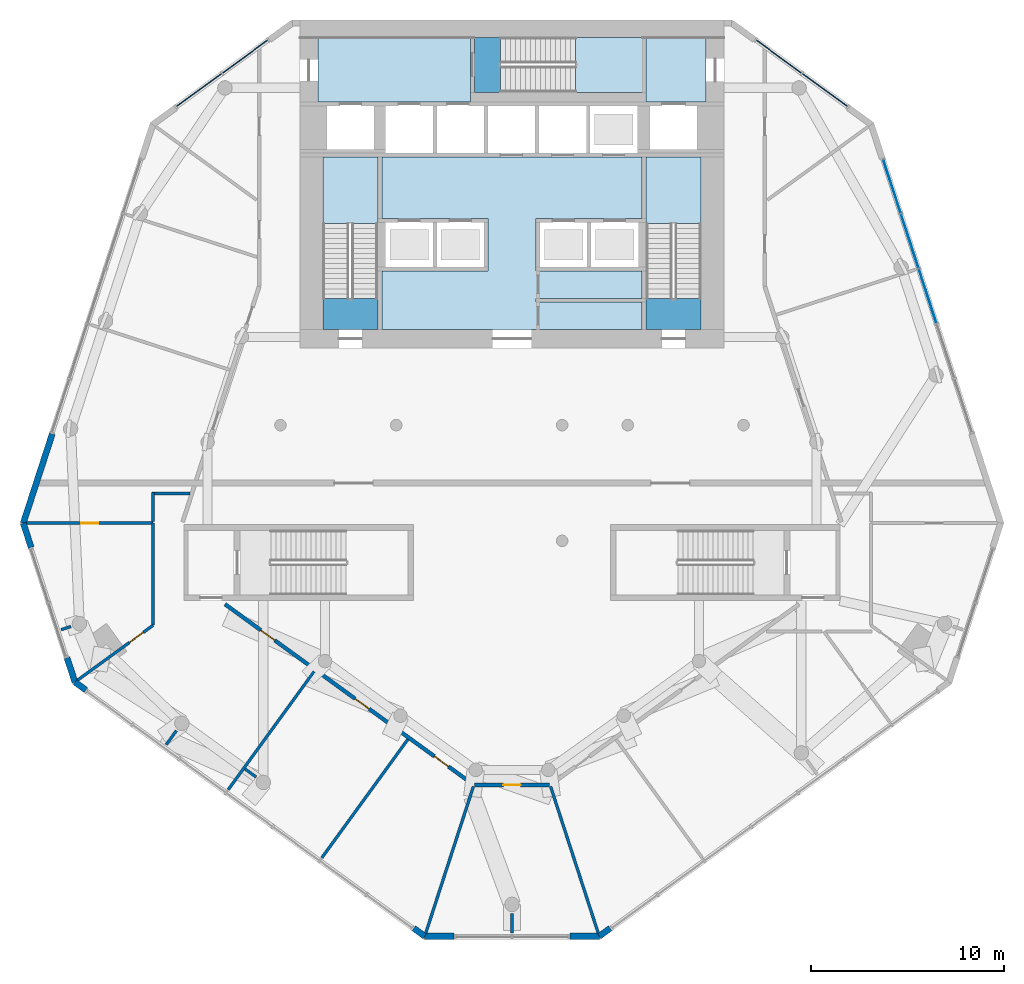
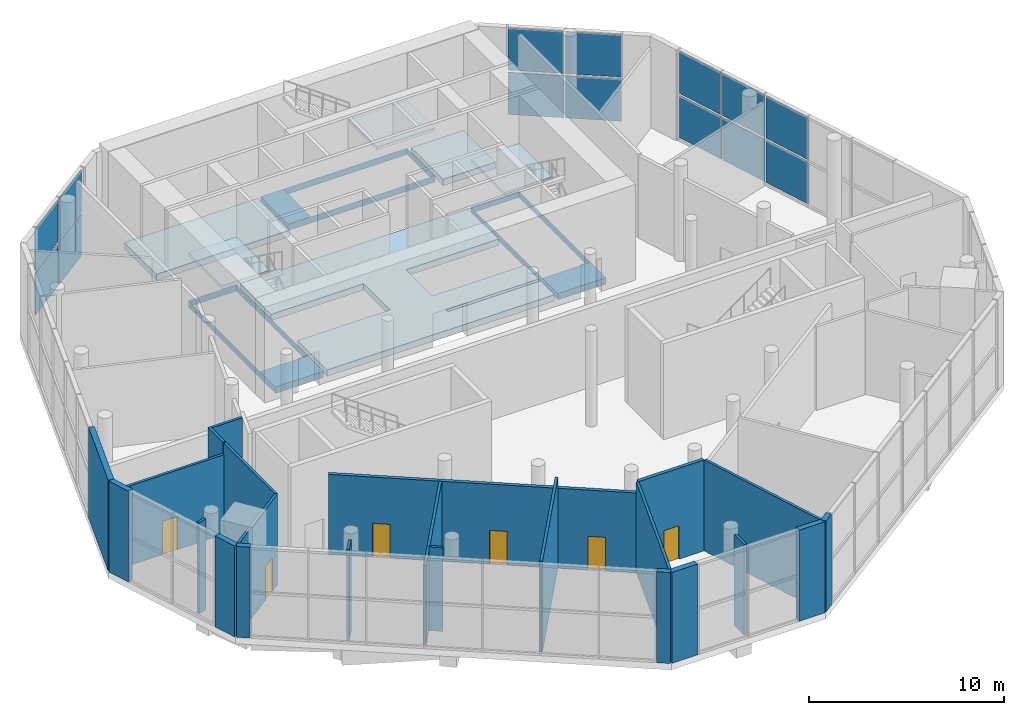
# One storey, part 7 of 14: 23 walls, 14 plates, 9 slabs, 6 doors, 6 openings, 6 elements without a shape of their own.
"""IFC4 building model written with IfcOpenShell, lengths in metres."""

from ifc_helpers import new_model, si_unit, direction, frame, frame_2d, origin, origin_2d, place, context, subcontext, project, spatial, polyline, rectangle, outline, extrude, material, layer, layer_set, type_object, element, fill, aggregate, save


model = new_model("IFC4")

# Units and contexts
model_context = context("Model", 3, precision=1e-05, world=origin(), true_north=direction((0.0, 1.0)))
body_context = subcontext(model_context, "Body", "Model", "MODEL_VIEW")
ifc_project = project(units=[si_unit("LENGTHUNIT", "METRE"), si_unit("AREAUNIT", "SQUARE_METRE"), si_unit("VOLUMEUNIT", "CUBIC_METRE"), si_unit("PLANEANGLEUNIT", "RADIAN"), si_unit("MASSUNIT", "GRAM", prefix="KILO")], contexts=[model_context])

# Site, building, storey
site_placement = place(None, origin())
site = spatial("IfcSite", under=ifc_project, at=site_placement, CompositionType="ELEMENT")
building_placement = place(site_placement, origin())
building = spatial("IfcBuilding", under=site, at=building_placement, Name="White Candle Pilgrim Tower", CompositionType="ELEMENT")
storey_placement = place(building_placement, frame((0.0, 0.0, 142.60009765625)))
storey = spatial("IfcBuildingStorey", under=building, at=storey_placement, Name="L32", CompositionType="ELEMENT", Elevation=142.60009765625)

# Curtain wall, plates
ifc_material_1 = material(Name="Aluminium and glass", Category="aluminium")
curtain_wall_type = type_object("IfcCurtainWallType", Name="Curtain wall CW4 sky floor glazing", PredefinedType="NOTDEFINED", material=ifc_material_1)
curtain_wall_1_placement = place(storey_placement, origin())
curtain_wall_1 = element("IfcCurtainWall", 1, at=curtain_wall_1_placement, inside=storey, type_object=curtain_wall_type, Name="Curtain wall CW4 L32 ENE", PredefinedType="NOTDEFINED")
ifc_material_2 = material(Name="Glass, triple glazed", Category="glass")
ifc_layer_1 = layer(ifc_material_2, 0.0439453125)
ifc_layer_set_1 = layer_set([ifc_layer_1], Name="CW4 glazing panel 44")
plate_type = type_object("IfcPlateType", Name="CW4 glazing panel 44", PredefinedType="CURTAIN_PANEL", material=ifc_layer_set_1)
plate_1_placement = place(storey_placement, frame((91.546630859375, 73.690185546875, 0.14013671875), z_axis=(0.0, 0.0, 1.0), x_axis=(-0.309017010459, 0.951056511069, 0.0)))
plate_1 = element("IfcPlate", 2, at=plate_1_placement, type_object=plate_type, Name="CW4 panel 3.1", PredefinedType="CURTAIN_PANEL", context=body_context, shape_type="SweptSolid", body=[
    extrude(rectangle(XDim=2.919921875, YDim=0.0439453125, at=origin_2d()), origin(), (0.0, 0.0, 1.0), 2.639892578125),
])
plate_2_placement = place(storey_placement, frame((91.546630859375, 73.690185546875, 2.919921875), z_axis=(0.0, 0.0, 1.0), x_axis=(-0.309017010459, 0.951056511069, 0.0)))
plate_2 = element("IfcPlate", 3, at=plate_2_placement, type_object=plate_type, Name="CW4 panel 3.2", PredefinedType="CURTAIN_PANEL", context=body_context, shape_type="SweptSolid", body=[
    extrude(rectangle(XDim=2.919921875, YDim=0.0439453125, at=origin_2d()), origin(), (0.0, 0.0, 1.0), 2.639892578125),
])
plate_3_placement = place(storey_placement, frame((90.61962890625, 76.543212890625, 0.14013671875), z_axis=(0.0, 0.0, 1.0), x_axis=(-0.309017010459, 0.951056511069, 0.0)))
plate_3 = element("IfcPlate", 4, at=plate_3_placement, type_object=plate_type, Name="CW4 panel 4.1", PredefinedType="CURTAIN_PANEL", context=body_context, shape_type="SweptSolid", body=[
    extrude(rectangle(XDim=2.919921875, YDim=0.0439453125, at=origin_2d()), origin(), (0.0, 0.0, 1.0), 2.639892578125),
])
plate_4_placement = place(storey_placement, frame((90.61962890625, 76.543212890625, 2.919921875), z_axis=(0.0, 0.0, 1.0), x_axis=(-0.309017010459, 0.951056511069, 0.0)))
plate_4 = element("IfcPlate", 5, at=plate_4_placement, type_object=plate_type, Name="CW4 panel 4.2", PredefinedType="CURTAIN_PANEL", context=body_context, shape_type="SweptSolid", body=[
    extrude(rectangle(XDim=2.919921875, YDim=0.0439453125, at=origin_2d()), origin(), (0.0, 0.0, 1.0), 2.639892578125),
])
plate_5_placement = place(storey_placement, frame((89.69873046875, 79.37744140625, 0.14013671875), z_axis=(0.0, 0.0, 1.0), x_axis=(-0.309017010459, 0.951056511069, 0.0)))
plate_5 = element("IfcPlate", 6, at=plate_5_placement, type_object=plate_type, Name="CW4 panel 5.1", PredefinedType="CURTAIN_PANEL", context=body_context, shape_type="SweptSolid", body=[
    extrude(rectangle(XDim=2.8798828125, YDim=0.0439453125, at=origin_2d()), origin(), (0.0, 0.0, 1.0), 2.639892578125),
])
plate_6_placement = place(storey_placement, frame((89.69873046875, 79.37744140625, 2.919921875), z_axis=(0.0, 0.0, 1.0), x_axis=(-0.309017010459, 0.951056511069, 0.0)))
plate_6 = element("IfcPlate", 7, at=plate_6_placement, type_object=plate_type, Name="CW4 panel 5.2", PredefinedType="CURTAIN_PANEL", context=body_context, shape_type="SweptSolid", body=[
    extrude(rectangle(XDim=2.8798828125, YDim=0.0439453125, at=origin_2d()), origin(), (0.0, 0.0, 1.0), 2.639892578125),
])
aggregate(curtain_wall_1, [plate_1, plate_2, plate_3, plate_4, plate_5, plate_6])

curtain_wall_2_placement = place(storey_placement, origin())
curtain_wall_2 = element("IfcCurtainWall", 8, at=curtain_wall_2_placement, inside=storey, type_object=curtain_wall_type, Name="Curtain wall CW4 L32 NE chamfer", PredefinedType="NOTDEFINED")
plate_7_placement = place(storey_placement, frame((86.220703125, 84.3701171875, 0.14013671875), z_axis=(0.0, 0.0, 1.0), x_axis=(-0.809016976966, 0.587785276254, 0.0)))
plate_7 = element("IfcPlate", 9, at=plate_7_placement, type_object=plate_type, Name="CW4 panel 1.1", PredefinedType="CURTAIN_PANEL", context=body_context, shape_type="SweptSolid", body=[
    extrude(rectangle(XDim=2.8798828125, YDim=0.0439453125, at=origin_2d()), origin(), (0.0, 0.0, 1.0), 2.639892578125),
])
plate_8_placement = place(storey_placement, frame((86.220703125, 84.3701171875, 2.919921875), z_axis=(0.0, 0.0, 1.0), x_axis=(-0.809016976966, 0.587785276254, 0.0)))
plate_8 = element("IfcPlate", 10, at=plate_8_placement, type_object=plate_type, Name="CW4 panel 1.2", PredefinedType="CURTAIN_PANEL", context=body_context, shape_type="SweptSolid", body=[
    extrude(rectangle(XDim=2.8798828125, YDim=0.0439453125, at=origin_2d()), origin(), (0.0, 0.0, 1.0), 2.639892578125),
])
plate_9_placement = place(storey_placement, frame((83.825927734375, 86.10986328125, 0.14013671875), z_axis=(0.0, 0.0, 1.0), x_axis=(-0.809016976966, 0.587785276254, 0.0)))
plate_9 = element("IfcPlate", 11, at=plate_9_placement, type_object=plate_type, Name="CW4 panel 2.1", PredefinedType="CURTAIN_PANEL", context=body_context, shape_type="SweptSolid", body=[
    extrude(rectangle(XDim=2.8798828125, YDim=0.0439453125, at=origin_2d()), origin(), (0.0, 0.0, 1.0), 2.639892578125),
])
plate_10_placement = place(storey_placement, frame((83.825927734375, 86.10986328125, 2.919921875), z_axis=(0.0, 0.0, 1.0), x_axis=(-0.809016976966, 0.587785276254, 0.0)))
plate_10 = element("IfcPlate", 12, at=plate_10_placement, type_object=plate_type, Name="CW4 panel 2.2", PredefinedType="CURTAIN_PANEL", context=body_context, shape_type="SweptSolid", body=[
    extrude(rectangle(XDim=2.8798828125, YDim=0.0439453125, at=origin_2d()), origin(), (0.0, 0.0, 1.0), 2.639892578125),
])
aggregate(curtain_wall_2, [plate_7, plate_8, plate_9, plate_10])

curtain_wall_3_placement = place(storey_placement, origin())
curtain_wall_3 = element("IfcCurtainWall", 13, at=curtain_wall_3_placement, inside=storey, type_object=curtain_wall_type, Name="Curtain wall CW4 L32 NW chamfer", PredefinedType="NOTDEFINED")
plate_11_placement = place(storey_placement, frame((56.174072265625, 86.10986328125, 0.14013671875), z_axis=(0.0, 0.0, 1.0), x_axis=(-0.809016976966, -0.587785276254, 0.0)))
plate_11 = element("IfcPlate", 14, at=plate_11_placement, type_object=plate_type, Name="CW4 panel 1.1", PredefinedType="CURTAIN_PANEL", context=body_context, shape_type="SweptSolid", body=[
    extrude(rectangle(XDim=2.8798828125, YDim=0.0439453125, at=origin_2d()), origin(), (0.0, 0.0, 1.0), 2.639892578125),
])
plate_12_placement = place(storey_placement, frame((56.174072265625, 86.10986328125, 2.919921875), z_axis=(0.0, 0.0, 1.0), x_axis=(-0.809016976966, -0.587785276254, 0.0)))
plate_12 = element("IfcPlate", 15, at=plate_12_placement, type_object=plate_type, Name="CW4 panel 1.2", PredefinedType="CURTAIN_PANEL", context=body_context, shape_type="SweptSolid", body=[
    extrude(rectangle(XDim=2.8798828125, YDim=0.0439453125, at=origin_2d()), origin(), (0.0, 0.0, 1.0), 2.639892578125),
])
plate_13_placement = place(storey_placement, frame((53.779296875, 84.3701171875, 0.14013671875), z_axis=(0.0, 0.0, 1.0), x_axis=(-0.809016976966, -0.587785276254, 0.0)))
plate_13 = element("IfcPlate", 16, at=plate_13_placement, type_object=plate_type, Name="CW4 panel 2.1", PredefinedType="CURTAIN_PANEL", context=body_context, shape_type="SweptSolid", body=[
    extrude(rectangle(XDim=2.8798828125, YDim=0.0439453125, at=origin_2d()), origin(), (0.0, 0.0, 1.0), 2.639892578125),
])
plate_14_placement = place(storey_placement, frame((53.779296875, 84.3701171875, 2.919921875), z_axis=(0.0, 0.0, 1.0), x_axis=(-0.809016976966, -0.587785276254, 0.0)))
plate_14 = element("IfcPlate", 17, at=plate_14_placement, type_object=plate_type, Name="CW4 panel 2.2", PredefinedType="CURTAIN_PANEL", context=body_context, shape_type="SweptSolid", body=[
    extrude(rectangle(XDim=2.8798828125, YDim=0.0439453125, at=origin_2d()), origin(), (0.0, 0.0, 1.0), 2.639892578125),
])
aggregate(curtain_wall_3, [plate_11, plate_12, plate_13, plate_14])

# Slabs
ifc_material_3 = material(Name="Concrete C40/50", Category="concrete")
ifc_layer_2 = layer(ifc_material_3, 0.39990234375)
ifc_layer_set_2 = layer_set([ifc_layer_2], Name="Core floor slab 400 mm Concrete C40/50")
slab_type_1 = type_object("IfcSlabType", Name="Core floor slab 400 mm Concrete C40/50", PredefinedType="FLOOR", material=ifc_layer_set_2)
slab_1_placement = place(storey_placement, frame((0.0, 0.0, -0.400146484375)))
element("IfcSlab", 18, at=slab_1_placement, inside=storey, type_object=slab_type_1, Name="CF-L32-05", PredefinedType="FLOOR", context=body_context, shape_type="SweptSolid", body=[
    extrude(outline(polyline([(76.75, 87.10009765625), (76.75, 87.050048828125), (76.75, 84.25), (68.050048828125, 84.25), (68.050048828125, 87.050048828125), (68.050048828125, 87.10009765625), (76.75, 87.10009765625)]), holes=[polyline([(69.402099609375, 87.097900390625), (69.402099609375, 84.251953125), (76.748046875, 84.251953125), (76.748046875, 87.097900390625), (69.402099609375, 87.097900390625)])]), origin(), (0.0, 0.0, 1.0), 0.400146484375),
])
slab_2_placement = place(storey_placement, frame((0.0, 0.0, -0.400146484375)))
element("IfcSlab", 19, at=slab_2_placement, inside=storey, type_object=slab_type_1, Name="CF-L32-06", PredefinedType="FLOOR", context=body_context, shape_type="SweptSolid", body=[
    extrude(outline(polyline([(80.050048828125, 87.050048828125), (80.050048828125, 83.75), (76.949951171875, 83.75), (76.949951171875, 84.25), (76.949951171875, 87.050048828125), (80.050048828125, 87.050048828125)])), origin(), (0.0, 0.0, 1.0), 0.400146484375),
])
slab_3_placement = place(storey_placement, frame((0.0, 0.0, -0.400146484375)))
element("IfcSlab", 20, at=slab_3_placement, inside=storey, type_object=slab_type_1, Name="CF-L32-07", PredefinedType="FLOOR", context=body_context, shape_type="SweptSolid", body=[
    extrude(outline(polyline([(76.949951171875, 71.949951171875), (76.949951171875, 73.375), (76.949951171875, 73.574951171875), (76.949951171875, 75.0), (76.949951171875, 75.199951171875), (76.949951171875, 77.5), (76.949951171875, 77.699951171875), (76.949951171875, 80.89990234375), (79.800048828125, 80.89990234375), (79.800048828125, 71.949951171875), (76.949951171875, 71.949951171875)]), holes=[polyline([(76.951904296875, 73.552001953125), (79.798095703125, 73.552001953125), (79.798095703125, 80.89794921875), (76.951904296875, 80.89794921875), (76.951904296875, 73.552001953125)])]), origin(), (0.0, 0.0, 1.0), 0.400146484375),
])
slab_4_placement = place(storey_placement, frame((0.0, 0.0, -0.400146484375)))
element("IfcSlab", 21, at=slab_4_placement, inside=storey, type_object=slab_type_1, Name="CF-L32-08", PredefinedType="FLOOR", context=body_context, shape_type="SweptSolid", body=[
    extrude(outline(polyline([(63.25, 71.949951171875), (63.25, 75.0), (68.75, 75.0), (68.75, 75.199951171875), (68.75, 77.5), (68.75, 77.699951171875), (63.25, 77.699951171875), (63.25, 80.89990234375), (76.75, 80.89990234375), (76.75, 77.699951171875), (71.25, 77.699951171875), (71.25, 77.5), (71.25, 75.199951171875), (71.25, 75.0), (76.75, 75.0), (76.75, 73.574951171875), (71.25, 73.574951171875), (71.25, 73.375), (76.75, 73.375), (76.75, 71.949951171875), (63.25, 71.949951171875)])), origin(), (0.0, 0.0, 1.0), 0.400146484375),
])
slab_5_placement = place(storey_placement, frame((0.0, 0.0, -0.400146484375)))
element("IfcSlab", 22, at=slab_5_placement, inside=storey, type_object=slab_type_1, Name="CF-L32-09", PredefinedType="FLOOR", context=body_context, shape_type="SweptSolid", body=[
    extrude(outline(polyline([(60.199951171875, 71.949951171875), (60.199951171875, 80.89990234375), (63.050048828125, 80.89990234375), (63.050048828125, 77.699951171875), (63.050048828125, 77.5), (63.050048828125, 75.199951171875), (63.050048828125, 75.0), (63.050048828125, 71.949951171875), (60.199951171875, 71.949951171875)]), holes=[polyline([(60.201904296875, 73.552001953125), (63.048095703125, 73.552001953125), (63.048095703125, 80.89794921875), (60.201904296875, 80.89794921875), (60.201904296875, 73.552001953125)])]), origin(), (0.0, 0.0, 1.0), 0.400146484375),
])
slab_6_placement = place(storey_placement, frame((0.0, 0.0, -0.400146484375)))
element("IfcSlab", 23, at=slab_6_placement, inside=storey, type_object=slab_type_1, Name="CF-L32-10", PredefinedType="FLOOR", context=body_context, shape_type="SweptSolid", body=[
    extrude(outline(polyline([(59.949951171875, 87.050048828125), (67.85009765625, 87.050048828125), (67.85009765625, 84.25), (67.85009765625, 83.75), (59.949951171875, 83.75), (59.949951171875, 87.050048828125)])), origin(), (0.0, 0.0, 1.0), 0.400146484375),
])

# Stair, slab
stair_type_1 = type_object("IfcStairType", Name="Exit stair 1 flight width 1350 mm", PredefinedType="HALF_TURN_STAIR", material=ifc_material_3)
stair_1_placement = place(storey_placement, origin())
stair_1 = element("IfcStair", 24, at=stair_1_placement, inside=storey, type_object=stair_type_1, Name="L32 stair 1", PredefinedType="NOTDEFINED")
ifc_layer_3 = layer(ifc_material_3, 0.199951171875)
ifc_layer_set_3 = layer_set([ifc_layer_3], Name="Stair landing Concrete C40/50")
slab_type_2 = type_object("IfcSlabType", Name="Stair landing Concrete C40/50", PredefinedType="LANDING", material=ifc_layer_set_3)
slab_7_placement = place(storey_placement, frame((0.0, 0.0, 2.7998046875)))
slab_7 = element("IfcSlab", 25, at=slab_7_placement, type_object=slab_type_2, Name="ST1 landing 1", PredefinedType="LANDING", context=body_context, shape_type="SweptSolid", body=[
    extrude(outline(polyline([(63.052001953125, 77.447998046875), (60.197998046875, 77.447998046875), (60.197998046875, 80.902099609375), (63.052001953125, 80.902099609375), (63.052001953125, 77.447998046875)])), origin(), (0.0, 0.0, 1.0), 0.2001953125),
])
aggregate(stair_1, [slab_7])

stair_type_2 = type_object("IfcStairType", Name="Exit stair 2 flight width 1350 mm", PredefinedType="HALF_TURN_STAIR", material=ifc_material_3)
stair_2_placement = place(storey_placement, origin())
stair_2 = element("IfcStair", 26, at=stair_2_placement, inside=storey, type_object=stair_type_2, Name="L32 stair 2", PredefinedType="NOTDEFINED")
slab_8_placement = place(storey_placement, frame((0.0, 0.0, 2.7998046875)))
slab_8 = element("IfcSlab", 27, at=slab_8_placement, type_object=slab_type_2, Name="ST2 landing 1", PredefinedType="LANDING", context=body_context, shape_type="SweptSolid", body=[
    extrude(outline(polyline([(79.802001953125, 77.447998046875), (76.947998046875, 77.447998046875), (76.947998046875, 80.902099609375), (79.802001953125, 80.902099609375), (79.802001953125, 77.447998046875)])), origin(), (0.0, 0.0, 1.0), 0.2001953125),
])
aggregate(stair_2, [slab_8])

stair_type_3 = type_object("IfcStairType", Name="Exit stair 3 flight width 1350 mm", PredefinedType="HALF_TURN_STAIR", material=ifc_material_3)
stair_3_placement = place(storey_placement, origin())
stair_3 = element("IfcStair", 28, at=stair_3_placement, inside=storey, type_object=stair_type_3, Name="L32 stair 3", PredefinedType="NOTDEFINED")
slab_9_placement = place(storey_placement, frame((0.0, 0.0, 2.7998046875)))
slab_9 = element("IfcSlab", 29, at=slab_9_placement, type_object=slab_type_2, Name="ST3 landing 1", PredefinedType="LANDING", context=body_context, shape_type="SweptSolid", body=[
    extrude(outline(polyline([(73.298095703125, 84.248046875), (73.298095703125, 87.10205078125), (76.751953125, 87.10205078125), (76.751953125, 84.248046875), (73.298095703125, 84.248046875)])), origin(), (0.0, 0.0, 1.0), 0.2001953125),
])
aggregate(stair_3, [slab_9])

# Wall, opening, door
ifc_material_4 = material(Name="Gypsum board on steel studs", Category="steel")
ifc_layer_4 = layer(ifc_material_4, 0.199951171875)
ifc_layer_set_4 = layer_set([ifc_layer_4], Name="Corridor wall 200 mm EI 45")
wall_type_1 = type_object("IfcWallType", Name="Corridor wall 200 mm EI 45", PredefinedType="PARTITIONING", material=ifc_layer_set_4)
wall_1_placement = place(storey_placement, frame((71.943115234375, 48.347412109375, 0.0), z_axis=(0.0, 0.0, 1.0), x_axis=(-1.0, 0.0, 0.0)))
wall_1 = element("IfcWall", 30, at=wall_1_placement, inside=storey, type_object=wall_type_1, Name="WL-L32-P007", PredefinedType="PARTITIONING", context=body_context, shape_type="SweptSolid", body=[
    extrude(rectangle(XDim=3.88623046875, YDim=0.199951171875, at=frame_2d((1.943115234375, 0.0))), origin(), (0.0, 0.0, 1.0), 5.699951171875),
])
opening_1_placement = place(wall_1_placement, frame((1.4931640625, 0.0, 0.0)))
opening_1 = element("IfcOpeningElement", 31, at=opening_1_placement, cuts=wall_1, Name="Opening L32-108", PredefinedType="OPENING", context=body_context, shape_type="SweptSolid", body=[
    extrude(rectangle(XDim=0.89990234375, YDim=2.10009765625, at=frame_2d((0.449951171875, 1.050048828125))), frame((0.0, 0.10986328125, 0.0), z_axis=(0.0, -1.0, 0.0), x_axis=(1.0, 0.0, 0.0)), (0.0, 0.0, 1.0), 0.219970703125),
])
ifc_material_5 = material(Name="Steel door leaf", Category="steel")
door_type = type_object("IfcDoorType", Name="Fire door 900 x 2100 EI 30", OperationType="NOTDEFINED", PredefinedType="DOOR", material=ifc_material_5)
door_1_placement = place(opening_1_placement, origin())
door_1 = element("IfcDoor", 32, at=door_1_placement, inside=storey, type_object=door_type, Name="Door L32-108", OperationType="SINGLE_SWING_RIGHT", OverallHeight=2.10009765625, OverallWidth=0.89990234375, PredefinedType="DOOR", context=body_context, shape_type="SweptSolid", body=[
    extrude(rectangle(XDim=0.89990234375, YDim=2.10009765625, at=frame_2d((0.449951171875, 1.050048828125))), frame((0.0, 0.02490234375, 0.0), z_axis=(0.0, -1.0, 0.0), x_axis=(1.0, 0.0, 0.0)), (0.0, 0.0, 1.0), 0.050048828125),
])
fill(opening_1, door_1)

# Wall, openings, doors
wall_2_placement = place(storey_placement, frame((67.998046875, 48.36669921875, 0.0), z_axis=(0.0, 0.0, 1.0), x_axis=(-0.80902196565, 0.587778409858, 0.0)))
wall_2 = element("IfcWall", 33, at=wall_2_placement, inside=storey, type_object=wall_type_1, Name="WL-L32-P008", PredefinedType="PARTITIONING", context=body_context, shape_type="SweptSolid", body=[
    extrude(rectangle(XDim=15.911376953125, YDim=0.199951171875, at=frame_2d((7.95556640625, 0.0))), origin(), (0.0, 0.0, 1.0), 5.0),
])
opening_2_placement = place(wall_2_placement, frame((12.72314453125, 0.0, 0.0)))
opening_2 = element("IfcOpeningElement", 34, at=opening_2_placement, cuts=wall_2, Name="Opening L32-105", PredefinedType="OPENING", context=body_context, shape_type="SweptSolid", body=[
    extrude(rectangle(XDim=0.89990234375, YDim=2.10009765625, at=frame_2d((0.449951171875, 1.050048828125))), frame((0.0, 0.10986328125, 0.0), z_axis=(0.0, -1.0, 0.0), x_axis=(1.0, 0.0, 0.0)), (0.0, 0.0, 1.0), 0.219970703125),
])
opening_3_placement = place(wall_2_placement, frame((6.677001953125, 0.0, 0.0)))
opening_3 = element("IfcOpeningElement", 35, at=opening_3_placement, cuts=wall_2, Name="Opening L32-106", PredefinedType="OPENING", context=body_context, shape_type="SweptSolid", body=[
    extrude(rectangle(XDim=0.89990234375, YDim=2.10009765625, at=frame_2d((0.449951171875, 1.050048828125))), frame((0.0, 0.10986328125, 0.0), z_axis=(0.0, -1.0, 0.0), x_axis=(1.0, 0.0, 0.0)), (0.0, 0.0, 1.0), 0.219970703125),
])
opening_4_placement = place(wall_2_placement, frame((1.597412109375, 0.0, 0.0)))
opening_4 = element("IfcOpeningElement", 36, at=opening_4_placement, cuts=wall_2, Name="Opening L32-107", PredefinedType="OPENING", context=body_context, shape_type="SweptSolid", body=[
    extrude(rectangle(XDim=0.89990234375, YDim=2.10009765625, at=frame_2d((0.449951171875, 1.050048828125))), frame((0.0, 0.10986328125, 0.0), z_axis=(0.0, -1.0, 0.0), x_axis=(1.0, 0.0, 0.0)), (0.0, 0.0, 1.0), 0.219970703125),
])
door_2_placement = place(opening_2_placement, origin())
door_2 = element("IfcDoor", 37, at=door_2_placement, inside=storey, type_object=door_type, Name="Door L32-105", OperationType="SINGLE_SWING_LEFT", OverallHeight=2.10009765625, OverallWidth=0.89990234375, PredefinedType="DOOR", context=body_context, shape_type="SweptSolid", body=[
    extrude(rectangle(XDim=0.89990234375, YDim=2.10009765625, at=frame_2d((0.449951171875, 1.050048828125))), frame((0.0, 0.02490234375, 0.0), z_axis=(0.0, -1.0, 0.0), x_axis=(1.0, 0.0, 0.0)), (0.0, 0.0, 1.0), 0.050048828125),
])
fill(opening_2, door_2)
door_3_placement = place(opening_3_placement, origin())
door_3 = element("IfcDoor", 38, at=door_3_placement, inside=storey, type_object=door_type, Name="Door L32-106", OperationType="SINGLE_SWING_RIGHT", OverallHeight=2.10009765625, OverallWidth=0.89990234375, PredefinedType="DOOR", context=body_context, shape_type="SweptSolid", body=[
    extrude(rectangle(XDim=0.89990234375, YDim=2.10009765625, at=frame_2d((0.449951171875, 1.050048828125))), frame((0.0, 0.02490234375, 0.0), z_axis=(0.0, -1.0, 0.0), x_axis=(1.0, 0.0, 0.0)), (0.0, 0.0, 1.0), 0.050048828125),
])
fill(opening_3, door_3)
door_4_placement = place(opening_4_placement, origin())
door_4 = element("IfcDoor", 39, at=door_4_placement, inside=storey, type_object=door_type, Name="Door L32-107", OperationType="SINGLE_SWING_LEFT", OverallHeight=2.10009765625, OverallWidth=0.89990234375, PredefinedType="DOOR", context=body_context, shape_type="SweptSolid", body=[
    extrude(rectangle(XDim=0.89990234375, YDim=2.10009765625, at=frame_2d((0.449951171875, 1.050048828125))), frame((0.0, 0.02490234375, 0.0), z_axis=(0.0, -1.0, 0.0), x_axis=(1.0, 0.0, 0.0)), (0.0, 0.0, 1.0), 0.050048828125),
])
fill(opening_4, door_4)

# Walls
ifc_material_6 = material(Name="Precast concrete C40/50", Category="concrete")
ifc_layer_5 = layer(ifc_material_6, 0.320068359375)
ifc_layer_set_5 = layer_set([ifc_layer_5], Name="Facade wall EW1 precast concrete C40/50 pier wall with timber-lined reveals")
wall_type_2 = type_object("IfcWallType", Name="Facade wall EW1 precast concrete C40/50 pier wall with timber-lined reveals", PredefinedType="SOLIDWALL", material=ifc_layer_set_5)
wall_3_placement = place(storey_placement, frame((44.66650390625, 61.922119140625, 0.0), z_axis=(0.0, 0.0, 1.0), x_axis=(0.309015617768, -0.951056963581, 0.0)))
element("IfcWall", 40, at=wall_3_placement, inside=storey, type_object=wall_type_2, Name="Facade wall L32 W chamfer", PredefinedType="SOLIDWALL", context=body_context, shape_type="SweptSolid", body=[
    extrude(rectangle(XDim=1.33203125, YDim=0.320068359375, at=frame_2d((0.666015625, 0.0))), origin(), (0.0, 0.0, 1.0), 5.699951171875),
])
wall_4_placement = place(storey_placement, frame((46.93212890625, 54.948974609375, 0.0), z_axis=(0.0, 0.0, 1.0), x_axis=(0.308961761269, -0.951074460846, 0.0)))
element("IfcWall", 41, at=wall_4_placement, inside=storey, type_object=wall_type_2, Name="Facade wall L32 W chamfer", PredefinedType="SOLIDWALL", context=body_context, shape_type="SweptSolid", body=[
    extrude(rectangle(XDim=1.332275390625, YDim=0.320068359375, at=frame_2d((0.666015625, 0.0))), origin(), (0.0, 0.0, 1.0), 5.699951171875),
])
for number, where, z_axis, x_axis, name in (
    (42, (47.34375, 53.681884765625, 0.0), (0.0, 0.0, 1.0), (0.809064470568, -0.587719901369, 0.0), "Facade wall L32 SW"),
    (43, (64.905029296875, 40.923095703125, 0.0), (0.0, 0.0, 1.0), (0.809064470568, -0.587719901369, 0.0), "Facade wall L32 SW"),
):
    element("IfcWall", number, at=place(storey_placement, frame(where, z_axis=z_axis, x_axis=x_axis)), inside=storey, type_object=wall_type_2, Name=name, PredefinedType="SOLIDWALL", context=body_context, shape_type="SweptSolid", body=[
        extrude(rectangle(XDim=0.70703125, YDim=0.320068359375, at=frame_2d((0.353515625, 0.0))), origin(), (0.0, 0.0, 1.0), 5.699951171875),
    ])
for number, where, z_axis, x_axis, name in (
    (44, (65.47705078125, 40.507568359375, 0.0), (0.0, 0.0, 1.0), (1.0, 0.0, 0.0), "Facade wall L32 S chamfer"),
    (45, (73.0, 40.507568359375, 0.0), (0.0, 0.0, 1.0), (1.0, 0.0, 0.0), "Facade wall L32 S chamfer"),
):
    element("IfcWall", number, at=place(storey_placement, frame(where, z_axis=z_axis, x_axis=x_axis)), inside=storey, type_object=wall_type_2, Name=name, PredefinedType="SOLIDWALL", context=body_context, shape_type="SweptSolid", body=[
        extrude(rectangle(XDim=1.52294921875, YDim=0.320068359375, at=frame_2d((0.761474609375, 0.0))), origin(), (0.0, 0.0, 1.0), 5.699951171875),
    ])
wall_5_placement = place(storey_placement, frame((74.52294921875, 40.507568359375, 0.0), z_axis=(0.0, 0.0, 1.0), x_axis=(0.809064470568, 0.587719901369, 0.0)))
element("IfcWall", 46, at=wall_5_placement, inside=storey, type_object=wall_type_2, Name="Facade wall L32 SE", PredefinedType="SOLIDWALL", context=body_context, shape_type="SweptSolid", body=[
    extrude(rectangle(XDim=0.70703125, YDim=0.320068359375, at=frame_2d((0.353515625, 0.0))), origin(), (0.0, 0.0, 1.0), 5.699951171875),
])
wall_6_placement = place(storey_placement, frame((46.1689453125, 66.54638671875, 0.0), z_axis=(0.0, 0.0, 1.0), x_axis=(-0.309003189113, -0.951061001786, 0.0)))
element("IfcWall", 47, at=wall_6_placement, inside=storey, type_object=wall_type_2, Name="Facade wall L32 WNW", PredefinedType="SOLIDWALL", context=body_context, shape_type="SweptSolid", body=[
    extrude(rectangle(XDim=4.8623046875, YDim=0.320068359375, at=frame_2d((2.43115234375, 0.0))), origin(), (0.0, 0.0, 1.0), 5.699951171875),
])

# Wall, opening, door
ifc_layer_6 = layer(ifc_material_4, 0.14990234375)
ifc_layer_set_6 = layer_set([ifc_layer_6], Name="Partition 150 mm EI 60")
wall_type_3 = type_object("IfcWallType", Name="Partition 150 mm EI 60", PredefinedType="PARTITIONING", material=ifc_layer_set_6)
wall_7_placement = place(storey_placement, frame((44.834716796875, 61.922119140625, 0.0), z_axis=(0.0, 0.0, 1.0), x_axis=(1.0, 0.0, 0.0)))
wall_7 = element("IfcWall", 48, at=wall_7_placement, inside=storey, type_object=wall_type_3, Name="WL-L32-P012", PredefinedType="PARTITIONING", context=body_context, shape_type="SweptSolid", body=[
    extrude(rectangle(XDim=6.565185546875, YDim=0.14990234375, at=frame_2d((3.28271484375, 0.0))), origin(), (0.0, 0.0, 1.0), 5.0),
])
opening_5_placement = place(wall_7_placement, frame((2.826171875, 0.0, 0.0)))
opening_5 = element("IfcOpeningElement", 49, at=opening_5_placement, cuts=wall_7, Name="Opening L32-117", PredefinedType="OPENING", context=body_context, shape_type="SweptSolid", body=[
    extrude(rectangle(XDim=0.89990234375, YDim=2.10009765625, at=frame_2d((0.449951171875, 1.050048828125))), frame((0.0, 0.0849609375, 0.0), z_axis=(0.0, -1.0, 0.0), x_axis=(1.0, 0.0, 0.0)), (0.0, 0.0, 1.0), 0.169921875),
])
door_5_placement = place(opening_5_placement, origin())
door_5 = element("IfcDoor", 50, at=door_5_placement, inside=storey, type_object=door_type, Name="Door L32-117", OperationType="SINGLE_SWING_LEFT", OverallHeight=2.10009765625, OverallWidth=0.89990234375, PredefinedType="DOOR", context=body_context, shape_type="SweptSolid", body=[
    extrude(rectangle(XDim=0.89990234375, YDim=2.10009765625, at=frame_2d((0.449951171875, 1.050048828125))), frame((0.0, 0.02490234375, 0.0), z_axis=(0.0, -1.0, 0.0), x_axis=(1.0, 0.0, 0.0)), (0.0, 0.0, 1.0), 0.050048828125),
])
fill(opening_5, door_5)

wall_8_placement = place(storey_placement, frame((47.47998046875, 53.781005859375, 0.0), z_axis=(0.0, 0.0, 1.0), x_axis=(0.809025783817, 0.587773154473, 0.0)))
wall_8 = element("IfcWall", 51, at=wall_8_placement, inside=storey, type_object=wall_type_3, Name="WL-L32-P013", PredefinedType="PARTITIONING", context=body_context, shape_type="SweptSolid", body=[
    extrude(rectangle(XDim=4.84521484375, YDim=0.14990234375, at=frame_2d((2.422607421875, 0.0))), origin(), (0.0, 0.0, 1.0), 5.699951171875),
])
opening_6_placement = place(wall_8_placement, frame((3.32275390625, 0.0, 0.0)))
opening_6 = element("IfcOpeningElement", 52, at=opening_6_placement, cuts=wall_8, Name="Opening L32-116", PredefinedType="OPENING", context=body_context, shape_type="SweptSolid", body=[
    extrude(rectangle(XDim=0.89990234375, YDim=2.10009765625, at=frame_2d((0.449951171875, 1.050048828125))), frame((0.0, 0.0849609375, 0.0), z_axis=(0.0, -1.0, 0.0), x_axis=(1.0, 0.0, 0.0)), (0.0, 0.0, 1.0), 0.169921875),
])
door_6_placement = place(opening_6_placement, origin())
door_6 = element("IfcDoor", 53, at=door_6_placement, inside=storey, type_object=door_type, Name="Door L32-116", OperationType="SINGLE_SWING_RIGHT", OverallHeight=2.10009765625, OverallWidth=0.89990234375, PredefinedType="DOOR", context=body_context, shape_type="SweptSolid", body=[
    extrude(rectangle(XDim=0.89990234375, YDim=2.10009765625, at=frame_2d((0.449951171875, 1.050048828125))), frame((0.0, 0.02490234375, 0.0), z_axis=(0.0, -1.0, 0.0), x_axis=(1.0, 0.0, 0.0)), (0.0, 0.0, 1.0), 0.050048828125),
])
fill(opening_6, door_6)

# Walls
for number, where, z_axis, x_axis, name in (
    (54, (65.529052734375, 40.66748046875, 0.0), (0.0, 0.0, 1.0), (0.309004544659, 0.951060561363, 0.0), "WL-L32-P014"),
    (55, (74.470947265625, 40.66748046875, 0.0), (0.0, 0.0, 1.0), (-0.309004544659, 0.951060561363, 0.0), "WL-L32-P015"),
):
    element("IfcWall", number, at=place(storey_placement, frame(where, z_axis=z_axis, x_axis=x_axis)), inside=storey, type_object=wall_type_3, Name=name, PredefinedType="PARTITIONING", context=body_context, shape_type="SweptSolid", body=[
        extrude(rectangle(XDim=7.990234375, YDim=0.14990234375, at=frame_2d((3.9951171875, 0.0))), origin(), (0.0, 0.0, 1.0), 5.699951171875),
    ])
wall_9_placement = place(storey_placement, frame((55.291015625, 48.10595703125, 0.0), z_axis=(0.0, 0.0, 1.0), x_axis=(0.587779028788, 0.809021515979, 0.0)))
element("IfcWall", 56, at=wall_9_placement, inside=storey, type_object=wall_type_3, Name="WL-L32-P021", PredefinedType="PARTITIONING", context=body_context, shape_type="SweptSolid", body=[
    extrude(rectangle(XDim=7.579833984375, YDim=0.14990234375, at=frame_2d((3.7900390625, 0.0))), origin(), (0.0, 0.0, 1.0), 5.0),
])
wall_10_placement = place(storey_placement, frame((60.14501953125, 44.5791015625, 0.0), z_axis=(0.0, 0.0, 1.0), x_axis=(0.587800109381, 0.80900619986, 0.0)))
element("IfcWall", 57, at=wall_10_placement, inside=storey, type_object=wall_type_3, Name="WL-L32-P022", PredefinedType="PARTITIONING", context=body_context, shape_type="SweptSolid", body=[
    extrude(rectangle(XDim=7.580078125, YDim=0.14990234375, at=frame_2d((3.7900390625, 0.0))), origin(), (0.0, 0.0, 1.0), 5.699951171875),
])
wall_11_placement = place(storey_placement, frame((47.138916015625, 56.56298828125, 0.0), z_axis=(0.0, 0.0, 1.0), x_axis=(-0.950983778631, -0.309240768303, 0.0)))
element("IfcWall", 58, at=wall_11_placement, inside=storey, type_object=wall_type_3, Name="WL-L32-P026", PredefinedType="PARTITIONING", context=body_context, shape_type="SweptSolid", body=[
    extrude(rectangle(XDim=0.53515625, YDim=0.14990234375, at=frame_2d((0.267578125, 0.0))), origin(), (0.0, 0.0, 1.0), 5.699951171875),
])
wall_12_placement = place(storey_placement, frame((52.609130859375, 51.16943359375, 0.0), z_axis=(0.0, 0.0, 1.0), x_axis=(-0.587721110922, -0.809063591924, 0.0)))
element("IfcWall", 59, at=wall_12_placement, inside=storey, type_object=wall_type_3, Name="WL-L32-P027", PredefinedType="PARTITIONING", context=body_context, shape_type="SweptSolid", body=[
    extrude(rectangle(XDim=0.90234375, YDim=0.14990234375, at=frame_2d((0.451171875, 0.0))), origin(), (0.0, 0.0, 1.0), 5.699951171875),
])
wall_13_placement = place(storey_placement, frame((56.739501953125, 48.7607421875, 0.0), z_axis=(0.0, 0.0, 1.0), x_axis=(-0.809002940562, 0.58780459522, 0.0)))
element("IfcWall", 60, at=wall_13_placement, inside=storey, type_object=wall_type_3, Name="WL-L32-P028", PredefinedType="PARTITIONING", context=body_context, shape_type="SweptSolid", body=[
    extrude(rectangle(XDim=0.7119140625, YDim=0.14990234375, at=frame_2d((0.35595703125, 0.0))), origin(), (0.0, 0.0, 1.0), 5.25),
])
wall_14_placement = place(storey_placement, frame((70.002197265625, 41.695068359375, 0.0), z_axis=(0.0, 0.0, 1.0), x_axis=(0.0, -1.0, 0.0)))
element("IfcWall", 61, at=wall_14_placement, inside=storey, type_object=wall_type_3, Name="WL-L32-P029", PredefinedType="PARTITIONING", context=body_context, shape_type="SweptSolid", body=[
    extrude(rectangle(XDim=1.027587890625, YDim=0.14990234375, at=frame_2d((0.513671875, 0.0))), origin(), (0.0, 0.0, 1.0), 5.699951171875),
])
wall_15_placement = place(storey_placement, frame((51.39990234375, 61.922119140625, 0.0), z_axis=(0.0, 0.0, 1.0), x_axis=(0.0, -1.0, 0.0)))
element("IfcWall", 62, at=wall_15_placement, inside=storey, type_object=wall_type_3, Name="WL-L32-P032", PredefinedType="PARTITIONING", context=body_context, shape_type="SweptSolid", body=[
    extrude(rectangle(XDim=5.293212890625, YDim=0.14990234375, at=frame_2d((2.646484375, 0.0))), origin(), (0.0, 0.0, 1.0), 5.699951171875),
])
wall_16_placement = place(storey_placement, frame((53.298095703125, 63.449951171875, 0.0), z_axis=(0.0, 0.0, 1.0), x_axis=(-1.0, 0.0, 0.0)))
element("IfcWall", 63, at=wall_16_placement, inside=storey, type_object=wall_type_3, Name="WL-L32-P033", PredefinedType="PARTITIONING", context=body_context, shape_type="SweptSolid", body=[
    extrude(rectangle(XDim=1.9580078125, YDim=0.14990234375, at=frame_2d((0.97900390625, 0.0))), origin(), (0.0, 0.0, 1.0), 5.699951171875),
])
wall_17_placement = place(storey_placement, frame((51.39990234375, 63.510009765625, 0.0), z_axis=(0.0, 0.0, 1.0), x_axis=(0.0, -1.0, 0.0)))
element("IfcWall", 64, at=wall_17_placement, inside=storey, type_object=wall_type_3, Name="WL-L32-P034", PredefinedType="PARTITIONING", context=body_context, shape_type="SweptSolid", body=[
    extrude(rectangle(XDim=1.512939453125, YDim=0.14990234375, at=frame_2d((0.75634765625, 0.0))), origin(), (0.0, 0.0, 1.0), 5.699951171875),
])

save(model, "model.ifc")
